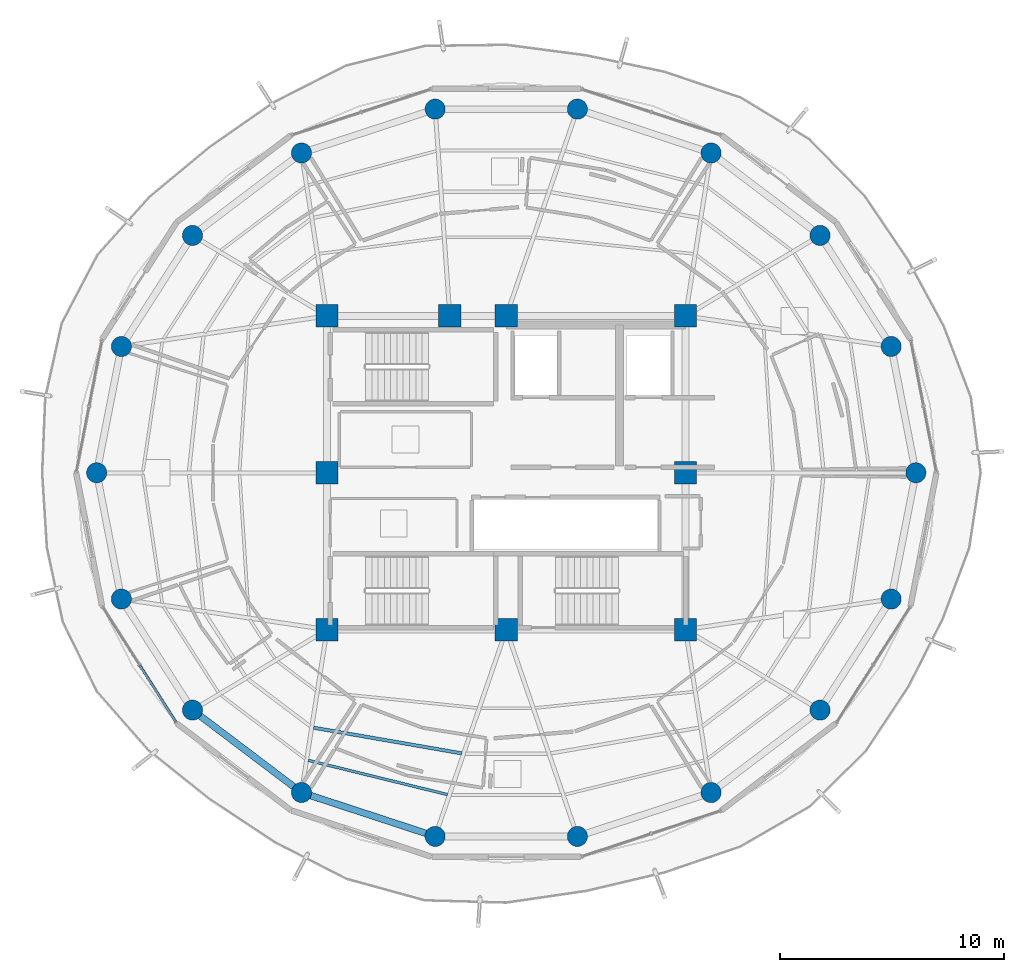
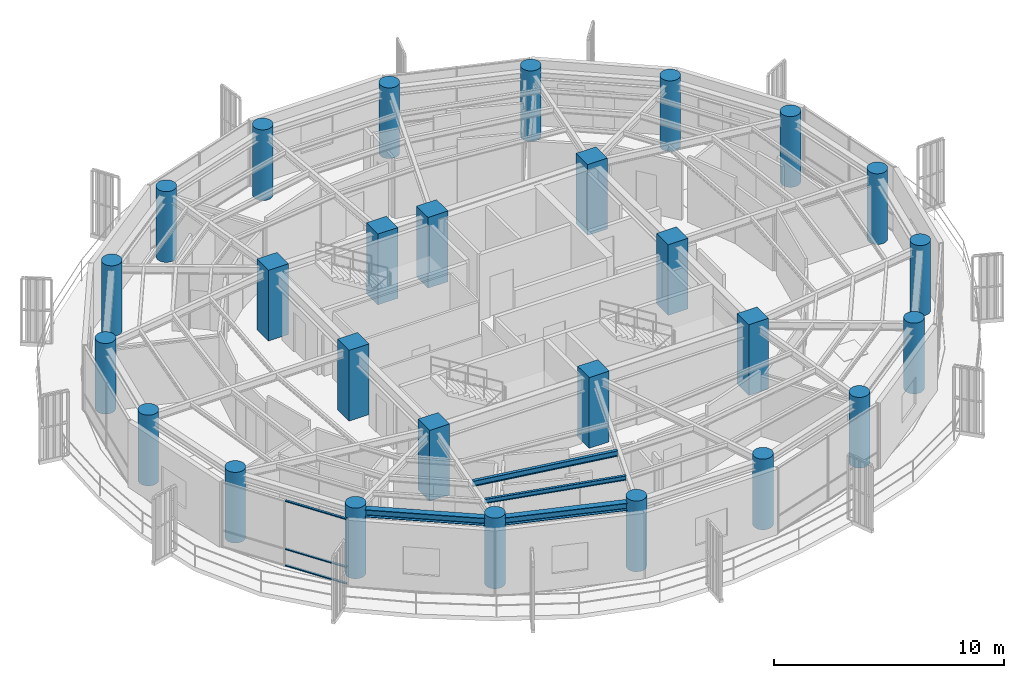
# One storey, part 1 of 22: 27 columns, 4 beams, 3 members, 1 element without a shape of its own.
"""IFC4 building model written with IfcOpenShell, lengths in metres."""

from ifc_helpers import new_model, si_unit, direction, frame, origin, origin_2d, place, context, subcontext, project, spatial, rectangle, hollow_rectangle, circle, i_section, extrude, material, layer, layer_set, material_profile, profile_set, type_object, element, aggregate, save


model = new_model("IFC4")

# Units and contexts
model_context = context("Model", 3, precision=1e-05, world=origin(), true_north=direction((0.0, 1.0)))
body_context = subcontext(model_context, "Body", "Model", "MODEL_VIEW")
ifc_project = project(units=[si_unit("LENGTHUNIT", "METRE"), si_unit("AREAUNIT", "SQUARE_METRE"), si_unit("VOLUMEUNIT", "CUBIC_METRE"), si_unit("PLANEANGLEUNIT", "RADIAN"), si_unit("MASSUNIT", "GRAM", prefix="KILO")], contexts=[model_context])

# Site, building, storey
site_placement = place(None, origin())
site = spatial("IfcSite", under=ifc_project, at=site_placement, CompositionType="ELEMENT")
building_placement = place(site_placement, origin())
building = spatial("IfcBuilding", under=site, at=building_placement, Name="Kelanora Arch Commons", CompositionType="ELEMENT")
storey_placement = place(building_placement, frame((0.0, 0.0, 271.199951171875)))
storey = spatial("IfcBuildingStorey", under=building, at=storey_placement, Name="L69", CompositionType="ELEMENT", Elevation=271.199951171875)

# Columns
ifc_material_1 = material(Name="Concrete C50/60", Category="concrete")
ifc_material_profile_1 = material_profile(ifc_material_1, circle(Radius=0.449951171875, at=origin_2d()), Name="RCC900")
ifc_profile_set_1 = profile_set([ifc_material_profile_1], Name="Concrete C50/60")
column_type_1 = type_object("IfcColumnType", Name="COL-PERIM-Z5", PredefinedType="COLUMN", material=ifc_profile_set_1)
for number, where, z_axis, x_axis, name in (
    (1, (92.280029296875, 58.0, 0.0), (0.0, 0.0, 1.0), (1.0, 0.0, 0.0), "Perimeter Ring Column CP-00 L69"),
    (2, (91.177490234375, 63.636474609375, 0.0), (0.0, 0.0, 1.0), (1.0, 0.0, 0.0), "Perimeter Ring Column CP-02 L69"),
    (3, (88.00341796875, 68.593017578125, 0.0), (0.0, 0.0, 1.0), (1.0, 0.0, 0.0), "Perimeter Ring Column CP-04 L69"),
    (4, (83.139892578125, 72.272216796875, 0.0), (0.0, 0.0, 1.0), (1.0, 0.0, 0.0), "Perimeter Ring Column CP-06 L69"),
    (5, (77.17431640625, 74.2294921875, 0.0), (0.0, 0.0, 1.0), (1.0, 0.0, 0.0), "Perimeter Ring Column CP-08 L69"),
    (6, (70.82568359375, 74.2294921875, 0.0), (0.0, 0.0, 1.0), (1.0, 0.0, 0.0), "Perimeter Ring Column CP-10 L69"),
    (7, (64.860107421875, 72.272216796875, 0.0), (0.0, 0.0, 1.0), (1.0, 0.0, 0.0), "Perimeter Ring Column CP-12 L69"),
    (8, (59.99658203125, 68.593017578125, 0.0), (0.0, 0.0, 1.0), (1.0, 0.0, 0.0), "Perimeter Ring Column CP-14 L69"),
    (9, (56.822509765625, 63.636474609375, 0.0), (0.0, 0.0, 1.0), (1.0, 0.0, 0.0), "Perimeter Ring Column CP-16 L69"),
    (10, (55.719970703125, 58.0, 0.0), (0.0, 0.0, 1.0), (1.0, 0.0, 0.0), "Perimeter Ring Column CP-18 L69"),
    (11, (56.822509765625, 52.363525390625, 0.0), (0.0, 0.0, 1.0), (1.0, 0.0, 0.0), "Perimeter Ring Column CP-20 L69"),
    (12, (59.99658203125, 47.406982421875, 0.0), (0.0, 0.0, 1.0), (1.0, 0.0, 0.0), "Perimeter Ring Column CP-22 L69"),
    (13, (64.860107421875, 43.727783203125, 0.0), (0.0, 0.0, 1.0), (1.0, 0.0, 0.0), "Perimeter Ring Column CP-24 L69"),
    (14, (70.82568359375, 41.7705078125, 0.0), (0.0, 0.0, 1.0), (1.0, 0.0, 0.0), "Perimeter Ring Column CP-26 L69"),
    (15, (77.17431640625, 41.7705078125, 0.0), (0.0, 0.0, 1.0), (1.0, 0.0, 0.0), "Perimeter Ring Column CP-28 L69"),
    (16, (83.139892578125, 43.727783203125, 0.0), (0.0, 0.0, 1.0), (1.0, 0.0, 0.0), "Perimeter Ring Column CP-30 L69"),
    (17, (88.00341796875, 47.406982421875, 0.0), (0.0, 0.0, 1.0), (1.0, 0.0, 0.0), "Perimeter Ring Column CP-32 L69"),
    (18, (91.177490234375, 52.363525390625, 0.0), (0.0, 0.0, 1.0), (1.0, 0.0, 0.0), "Perimeter Ring Column CP-34 L69"),
):
    element("IfcColumn", number, at=place(storey_placement, frame(where, z_axis=z_axis, x_axis=x_axis)), inside=storey, type_object=column_type_1, Name=name, PredefinedType="COLUMN", context=body_context, shape_type="SweptSolid", body=[
        extrude(circle(Radius=0.449951171875, at=origin_2d()), origin(), (0.0, 0.0, 1.0), 3.75),
    ])
ifc_material_profile_2 = material_profile(ifc_material_1, rectangle(XDim=1.0, YDim=1.0, at=origin_2d()), Name="RC1000x1000")
ifc_profile_set_2 = profile_set([ifc_material_profile_2], Name="Concrete C50/60")
column_type_2 = type_object("IfcColumnType", Name="COL-PIL-HIGH", PredefinedType="PILASTER", material=ifc_profile_set_2)
for number, where, z_axis, x_axis, name in (
    (19, (66.0, 51.0, 0.0), (0.0, 0.0, 1.0), (1.0, 0.0, 0.0), "Core Pilaster Column CP1 L69"),
    (20, (74.0, 51.0, 0.0), (0.0, 0.0, 1.0), (1.0, 0.0, 0.0), "Core Pilaster Column CP2 L69"),
    (21, (82.0, 51.0, 0.0), (0.0, 0.0, 1.0), (1.0, 0.0, 0.0), "Core Pilaster Column CP3 L69"),
    (22, (82.0, 58.0, 0.0), (0.0, 0.0, 1.0), (1.0, 0.0, 0.0), "Core Pilaster Column CP4 L69"),
    (23, (82.0, 65.0, 0.0), (0.0, 0.0, 1.0), (1.0, 0.0, 0.0), "Core Pilaster Column CP5 L69"),
    (24, (74.0, 65.0, 0.0), (0.0, 0.0, 1.0), (1.0, 0.0, 0.0), "Core Pilaster Column CP6 L69"),
    (25, (71.47998046875, 65.0, 0.0), (0.0, 0.0, 1.0), (1.0, 0.0, 0.0), "Core Pilaster Column CP9 L69"),
    (26, (66.0, 65.0, 0.0), (0.0, 0.0, 1.0), (1.0, 0.0, 0.0), "Core Pilaster Column CP7 L69"),
    (27, (66.0, 58.0, 0.0), (0.0, 0.0, 1.0), (1.0, 0.0, 0.0), "Core Pilaster Column CP8 L69"),
):
    element("IfcColumn", number, at=place(storey_placement, frame(where, z_axis=z_axis, x_axis=x_axis)), inside=storey, type_object=column_type_2, Name=name, PredefinedType="PILASTER", context=body_context, shape_type="SweptSolid", body=[
        extrude(rectangle(XDim=1.0, YDim=1.0, at=origin_2d()), origin(), (0.0, 0.0, 1.0), 3.75),
    ])

# Beams
ifc_material_2 = material(Name="Steel S355", Category="steel")
ifc_material_profile_3 = material_profile(ifc_material_2, i_section(OverallWidth=0.14990234375, OverallDepth=0.300048828125, WebThickness=0.007080078125, FlangeThickness=0.0107421875, FilletRadius=0.014892578125, at=origin_2d()), Name="IPE300")
ifc_profile_set_3 = profile_set([ifc_material_profile_3], Name="Steel S355")
beam_type_1 = type_object("IfcBeamType", Name="BM-JST-01", PredefinedType="JOIST", material=ifc_profile_set_3)
beam_1_placement = place(storey_placement, frame((65.39990234375, 46.622314453125, 3.340087890625), z_axis=(0.985321568263, -0.170708544357, 0.0), x_axis=(0.170708544357, 0.985321568263, 0.0)))
element("IfcBeam", 28, at=beam_1_placement, inside=storey, type_object=beam_type_1, Name="Secondary Chord Joist BJB-24 L69", PredefinedType="JOIST", context=body_context, shape_type="SweptSolid", body=[
    extrude(i_section(OverallWidth=0.14990234375, OverallDepth=0.300048828125, WebThickness=0.007080078125, FlangeThickness=0.0107421875, FilletRadius=0.014892578125, at=origin_2d()), origin(), (0.0, 0.0, 1.0), 6.710205078125),
])
ifc_material_profile_4 = material_profile(ifc_material_2, i_section(OverallWidth=0.1201171875, OverallDepth=0.239990234375, WebThickness=0.006103515625, FlangeThickness=0.009765625, FilletRadius=0.014892578125, at=origin_2d()), Name="IPE240")
ifc_profile_set_4 = profile_set([ifc_material_profile_4], Name="Steel S355")
beam_type_2 = type_object("IfcBeamType", Name="BM-JST-02", PredefinedType="JOIST", material=ifc_profile_set_4)
beam_2_placement = place(storey_placement, frame((65.17041015625, 45.162109375, 3.3701171875), z_axis=(0.971109719488, -0.23863342749, 0.0), x_axis=(0.23863342749, 0.971109719488, 0.0)))
element("IfcBeam", 29, at=beam_2_placement, inside=storey, type_object=beam_type_2, Name="Secondary Chord Joist BJC-24 L69", PredefinedType="JOIST", context=body_context, shape_type="SweptSolid", body=[
    extrude(i_section(OverallWidth=0.1201171875, OverallDepth=0.239990234375, WebThickness=0.006103515625, FlangeThickness=0.009765625, FilletRadius=0.014892578125, at=origin_2d()), origin(), (0.0, 0.0, 1.0), 6.39208984375),
])
ifc_material_profile_5 = material_profile(ifc_material_2, i_section(OverallWidth=0.300048828125, OverallDepth=0.39990234375, WebThickness=0.013427734375, FlangeThickness=0.02392578125, FilletRadius=0.027099609375, at=origin_2d()), Name="HEB400")
ifc_profile_set_5 = profile_set([ifc_material_profile_5], Name="Steel S355")
beam_type_3 = type_object("IfcBeamType", Name="BM-SPN-Z4", PredefinedType="SPANDREL", material=ifc_profile_set_5)
beam_3_placement = place(storey_placement, frame((59.99658203125, 47.406982421875, 3.2900390625), z_axis=(0.797509460967, -0.603306439273, 0.0), x_axis=(0.603306439273, 0.797509460967, 0.0)))
element("IfcBeam", 30, at=beam_3_placement, inside=storey, type_object=beam_type_3, Name="Perimeter Spandrel Beam BS-22 L69", PredefinedType="SPANDREL", context=body_context, shape_type="SweptSolid", body=[
    extrude(i_section(OverallWidth=0.300048828125, OverallDepth=0.39990234375, WebThickness=0.013427734375, FlangeThickness=0.02392578125, FilletRadius=0.027099609375, at=origin_2d()), origin(), (0.0, 0.0, 1.0), 6.098388671875),
])
beam_4_placement = place(storey_placement, frame((64.860107421875, 43.727783203125, 3.2900390625), z_axis=(0.950165923039, -0.311744636996, 0.0), x_axis=(0.311744636996, 0.950165923039, 0.0)))
element("IfcBeam", 31, at=beam_4_placement, inside=storey, type_object=beam_type_3, Name="Perimeter Spandrel Beam BS-24 L69", PredefinedType="SPANDREL", context=body_context, shape_type="SweptSolid", body=[
    extrude(i_section(OverallWidth=0.300048828125, OverallDepth=0.39990234375, WebThickness=0.013427734375, FlangeThickness=0.02392578125, FilletRadius=0.027099609375, at=origin_2d()), origin(), (0.0, 0.0, 1.0), 6.278564453125),
])

# Curtain wall, members
ifc_material_3 = material(Name="Terracotta ceramic-fritted low-E glass and aluminium", Category="masonry")
ifc_layer = layer(ifc_material_3, 0.18994140625)
ifc_layer_set = layer_set([ifc_layer], Name="Terracotta ceramic-fritted low-E glass and aluminium")
curtain_wall_type = type_object("IfcCurtainWallType", Name="CW-SYS-03", PredefinedType="NOTDEFINED", material=ifc_layer_set)
curtain_wall_placement = place(storey_placement, origin())
curtain_wall = element("IfcCurtainWall", 32, at=curtain_wall_placement, inside=storey, type_object=curtain_wall_type, Name="Unitised Curtain Wall L69-B10", PredefinedType="NOTDEFINED")
ifc_material_4 = material(Name="Powder-coated aluminium terracotta", Category="masonry")
ifc_material_profile_6 = material_profile(ifc_material_4, hollow_rectangle(XDim=0.1201171875, YDim=0.06005859375, WallThickness=0.0048828125, InnerFilletRadius=0.0048828125, OuterFilletRadius=0.010009765625, at=origin_2d()), Name="CWT120x60")
ifc_profile_set_6 = profile_set([ifc_material_profile_6], Name="Powder-coated aluminium terracotta")
member_type = type_object("IfcMemberType", Name="CWT-STD", PredefinedType="USERDEFINED", material=ifc_profile_set_6)
member_1_placement = place(storey_placement, frame((57.64111328125, 49.40673828125, 0.030029296875), z_axis=(0.537286543791, -0.84339976871, 0.0), x_axis=(0.84339976871, 0.537286543791, 0.0)))
member_1 = element("IfcMember", 33, at=member_1_placement, type_object=member_type, Name="CW-03 transom 2.1", ObjectType="TRANSOM", PredefinedType="USERDEFINED", context=body_context, shape_type="SweptSolid", body=[
    extrude(hollow_rectangle(XDim=0.1201171875, YDim=0.06005859375, WallThickness=0.0048828125, InnerFilletRadius=0.0048828125, OuterFilletRadius=0.010009765625, at=origin_2d()), origin(), (0.0, 0.0, 1.0), 2.997314453125),
])
member_2_placement = place(storey_placement, frame((57.64111328125, 49.40673828125, 0.900146484375), z_axis=(0.537286543791, -0.84339976871, 0.0), x_axis=(0.84339976871, 0.537286543791, 0.0)))
member_2 = element("IfcMember", 34, at=member_2_placement, type_object=member_type, Name="CW-03 transom 2.2", ObjectType="TRANSOM", PredefinedType="USERDEFINED", context=body_context, shape_type="SweptSolid", body=[
    extrude(hollow_rectangle(XDim=0.1201171875, YDim=0.06005859375, WallThickness=0.0048828125, InnerFilletRadius=0.0048828125, OuterFilletRadius=0.010009765625, at=origin_2d()), origin(), (0.0, 0.0, 1.0), 2.997314453125),
])
member_3_placement = place(storey_placement, frame((57.64111328125, 49.40673828125, 3.445068359375), z_axis=(0.537286543791, -0.84339976871, 0.0), x_axis=(0.84339976871, 0.537286543791, 0.0)))
member_3 = element("IfcMember", 35, at=member_3_placement, type_object=member_type, Name="CW-03 transom 2.3", ObjectType="TRANSOM", PredefinedType="USERDEFINED", context=body_context, shape_type="SweptSolid", body=[
    extrude(hollow_rectangle(XDim=0.1201171875, YDim=0.06005859375, WallThickness=0.0048828125, InnerFilletRadius=0.0048828125, OuterFilletRadius=0.010009765625, at=origin_2d()), origin(), (0.0, 0.0, 1.0), 2.997314453125),
])
aggregate(curtain_wall, [member_1, member_2, member_3])

save(model, "model.ifc")
